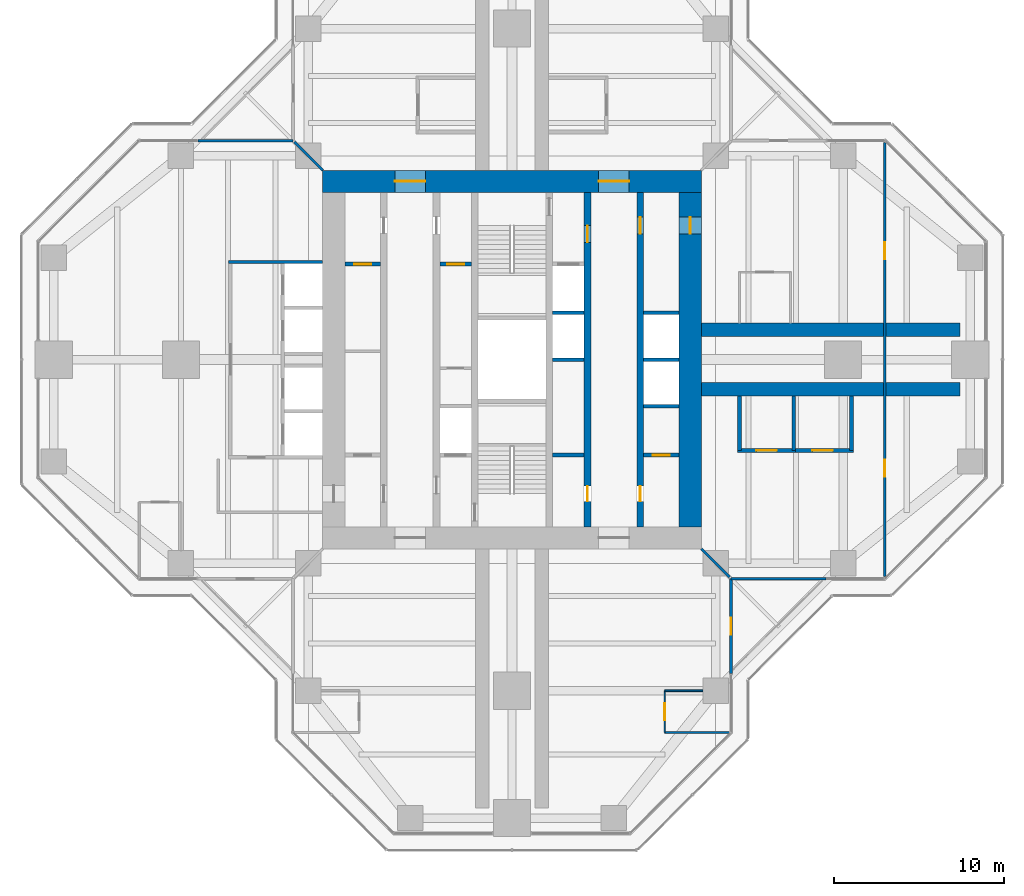
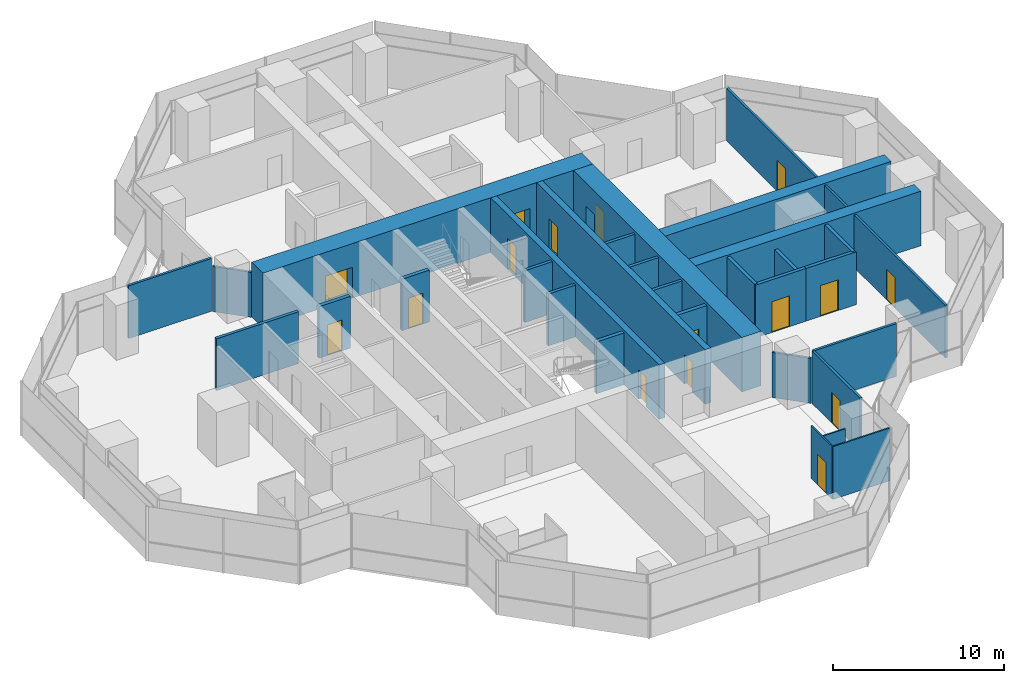
# One storey, part 14 of 17: 30 walls, 16 doors, 16 openings.
"""IFC4 building model written with IfcOpenShell, lengths in metres."""

from ifc_helpers import new_model, si_unit, direction, frame, frame_2d, origin, place, context, subcontext, project, spatial, rectangle, extrude, material, layer, layer_set, type_object, element, fill, save


model = new_model("IFC4")

# Units and contexts
model_context = context("Model", 3, precision=1e-05, world=origin(), true_north=direction((0.0, 1.0)))
body_context = subcontext(model_context, "Body", "Model", "MODEL_VIEW")
ifc_project = project(units=[si_unit("LENGTHUNIT", "METRE"), si_unit("AREAUNIT", "SQUARE_METRE"), si_unit("VOLUMEUNIT", "CUBIC_METRE"), si_unit("PLANEANGLEUNIT", "RADIAN"), si_unit("MASSUNIT", "GRAM", prefix="KILO")], contexts=[model_context])

# Site, building, storey
site_placement = place(None, origin())
site = spatial("IfcSite", under=ifc_project, at=site_placement, CompositionType="ELEMENT")
building_placement = place(site_placement, origin())
building = spatial("IfcBuilding", under=site, at=building_placement, Name="Mizan Broadcast Tower", CompositionType="ELEMENT")
storey_placement = place(building_placement, frame((0.0, 0.0, 232.199951171875)))
storey = spatial("IfcBuildingStorey", under=building, at=storey_placement, Name="L54", CompositionType="ELEMENT", Elevation=232.199951171875)

# Wall, openings, doors
ifc_material_1 = material(Name="Concrete C70/85", Category="concrete")
ifc_layer_1 = layer(ifc_material_1, 0.39990234375)
ifc_layer_set_1 = layer_set([ifc_layer_1], Name="Concrete C70/85")
wall_type_1 = type_object("IfcWallType", Name="CORE INTERNAL WALL 400", PredefinedType="SHEAR", material=ifc_layer_set_1)
wall_1_placement = place(storey_placement, frame((7.550048828125, 9.85009765625, 0.0), z_axis=(0.0, 0.0, 1.0), x_axis=(0.0, -1.0, 0.0)))
wall_1 = element("IfcWall", 1, at=wall_1_placement, inside=storey, type_object=wall_type_1, Name="Core wall CORE/XW1E", PredefinedType="SHEAR", context=body_context, shape_type="SweptSolid", body=[
    extrude(rectangle(XDim=19.7001953125, YDim=0.39990234375, at=frame_2d((9.85009765625, 0.0))), origin(), (0.0, 0.0, 1.0), 3.900146484375),
])
opening_1_placement = place(wall_1_placement, frame((1.449951171875, 0.0, 0.0)))
opening_1 = element("IfcOpeningElement", 2, at=opening_1_placement, cuts=wall_1, Name="Opening D10F", PredefinedType="OPENING", context=body_context, shape_type="SweptSolid", body=[
    extrude(rectangle(XDim=1.0, YDim=2.199951171875, at=frame_2d((0.5, 1.10009765625))), frame((0.0, 0.2099609375, 0.0), z_axis=(0.0, -1.0, 0.0), x_axis=(1.0, 0.0, 0.0)), (0.0, 0.0, 1.0), 0.419921875),
])
opening_2_placement = place(wall_1_placement, frame((17.300048828125, 0.0, 0.0)))
opening_2 = element("IfcOpeningElement", 3, at=opening_2_placement, cuts=wall_1, Name="Opening D09", PredefinedType="OPENING", context=body_context, shape_type="SweptSolid", body=[
    extrude(rectangle(XDim=0.89990234375, YDim=2.10009765625, at=frame_2d((0.449951171875, 1.050048828125))), frame((0.0, 0.2099609375, 0.0), z_axis=(0.0, -1.0, 0.0), x_axis=(1.0, 0.0, 0.0)), (0.0, 0.0, 1.0), 0.419921875),
])
ifc_material_2 = material(Name="Steel door leaf in steel frame", Category="steel")
door_type_1 = type_object("IfcDoorType", Name="FIRE DOOR 1000 FD90", OperationType="SINGLE_SWING_LEFT", PredefinedType="DOOR", material=ifc_material_2)
door_1_placement = place(opening_1_placement, origin())
door_1 = element("IfcDoor", 4, at=door_1_placement, inside=storey, type_object=door_type_1, Name="East core passage door", OperationType="SINGLE_SWING_LEFT", OverallHeight=2.199951171875, OverallWidth=1.0, PredefinedType="DOOR", context=body_context, shape_type="SweptSolid", body=[
    extrude(rectangle(XDim=1.0, YDim=2.199951171875, at=frame_2d((0.5, 1.10009765625))), frame((0.0, 0.02490234375, 0.0), z_axis=(0.0, -1.0, 0.0), x_axis=(1.0, 0.0, 0.0)), (0.0, 0.0, 1.0), 0.050048828125),
])
fill(opening_1, door_1)
ifc_material_3 = material(Name="Timber door leaf in aluminium frame", Category="wood")
door_type_2 = type_object("IfcDoorType", Name="TOILET DOOR 900", OperationType="SINGLE_SWING_LEFT", PredefinedType="DOOR", material=ifc_material_3)
door_2_placement = place(opening_2_placement, origin())
door_2 = element("IfcDoor", 5, at=door_2_placement, inside=storey, type_object=door_type_2, Name="Female WC door", OperationType="SINGLE_SWING_RIGHT", OverallHeight=2.10009765625, OverallWidth=0.89990234375, PredefinedType="DOOR", context=body_context, shape_type="SweptSolid", body=[
    extrude(rectangle(XDim=0.89990234375, YDim=2.10009765625, at=frame_2d((0.449951171875, 1.050048828125))), frame((0.0, 0.02490234375, 0.0), z_axis=(0.0, -1.0, 0.0), x_axis=(1.0, 0.0, 0.0)), (0.0, 0.0, 1.0), 0.050048828125),
])
fill(opening_2, door_2)

wall_2_placement = place(storey_placement, frame((4.449951171875, 9.85009765625, 0.0), z_axis=(0.0, 0.0, 1.0), x_axis=(0.0, -1.0, 0.0)))
wall_2 = element("IfcWall", 6, at=wall_2_placement, inside=storey, type_object=wall_type_1, Name="Core wall CORE/XWHE", PredefinedType="SHEAR", context=body_context, shape_type="SweptSolid", body=[
    extrude(rectangle(XDim=19.7001953125, YDim=0.39990234375, at=frame_2d((9.85009765625, 0.0))), origin(), (0.0, 0.0, 1.0), 3.900146484375),
])
opening_3_placement = place(wall_2_placement, frame((1.949951171875, 0.0, 0.0)))
opening_3 = element("IfcOpeningElement", 7, at=opening_3_placement, cuts=wall_2, Name="Opening D10F", PredefinedType="OPENING", context=body_context, shape_type="SweptSolid", body=[
    extrude(rectangle(XDim=1.0, YDim=2.199951171875, at=frame_2d((0.5, 1.10009765625))), frame((0.0, 0.2099609375, 0.0), z_axis=(0.0, -1.0, 0.0), x_axis=(1.0, 0.0, 0.0)), (0.0, 0.0, 1.0), 0.419921875),
])
opening_4_placement = place(wall_2_placement, frame((17.300048828125, 0.0, 0.0)))
opening_4 = element("IfcOpeningElement", 8, at=opening_4_placement, cuts=wall_2, Name="Opening D09", PredefinedType="OPENING", context=body_context, shape_type="SweptSolid", body=[
    extrude(rectangle(XDim=0.89990234375, YDim=2.10009765625, at=frame_2d((0.449951171875, 1.050048828125))), frame((0.0, 0.2099609375, 0.0), z_axis=(0.0, -1.0, 0.0), x_axis=(1.0, 0.0, 0.0)), (0.0, 0.0, 1.0), 0.419921875),
])
door_3_placement = place(opening_3_placement, origin())
door_3 = element("IfcDoor", 9, at=door_3_placement, inside=storey, type_object=door_type_1, Name="Firefighting lobby B door", OperationType="SINGLE_SWING_LEFT", OverallHeight=2.199951171875, OverallWidth=1.0, PredefinedType="DOOR", context=body_context, shape_type="SweptSolid", body=[
    extrude(rectangle(XDim=1.0, YDim=2.199951171875, at=frame_2d((0.5, 1.10009765625))), frame((0.0, 0.02490234375, 0.0), z_axis=(0.0, -1.0, 0.0), x_axis=(1.0, 0.0, 0.0)), (0.0, 0.0, 1.0), 0.050048828125),
])
fill(opening_3, door_3)
door_4_placement = place(opening_4_placement, origin())
door_4 = element("IfcDoor", 10, at=door_4_placement, inside=storey, type_object=door_type_2, Name="Cleaner's store door", OperationType="SINGLE_SWING_RIGHT", OverallHeight=2.10009765625, OverallWidth=0.89990234375, PredefinedType="DOOR", context=body_context, shape_type="SweptSolid", body=[
    extrude(rectangle(XDim=0.89990234375, YDim=2.10009765625, at=frame_2d((0.449951171875, 1.050048828125))), frame((0.0, 0.02490234375, 0.0), z_axis=(0.0, -1.0, 0.0), x_axis=(1.0, 0.0, 0.0)), (0.0, 0.0, 1.0), 0.050048828125),
])
fill(opening_4, door_4)

ifc_material_4 = material(Name="Concrete C70/85", Category="concrete")
ifc_layer_2 = layer(ifc_material_4, 1.300048828125)
ifc_layer_set_2 = layer_set([ifc_layer_2], Name="Concrete C70/85")
wall_type_2 = type_object("IfcWallType", Name="CORE WALL 1300", PredefinedType="SHEAR", material=ifc_layer_set_2)
wall_3_placement = place(storey_placement, frame((-11.14990234375, 10.5, 0.0), z_axis=(0.0, 0.0, 1.0), x_axis=(1.0, 0.0, 0.0)))
wall_3 = element("IfcWall", 11, at=wall_3_placement, inside=storey, type_object=wall_type_2, Name="Core wall N L54", PredefinedType="SHEAR", context=body_context, shape_type="SweptSolid", body=[
    extrude(rectangle(XDim=22.2998046875, YDim=1.300048828125, at=frame_2d((11.14990234375, 0.0))), origin(), (0.0, 0.0, 1.0), 3.900146484375),
])
opening_5_placement = place(wall_3_placement, frame((4.25, 0.0, 0.0)))
opening_5 = element("IfcOpeningElement", 12, at=opening_5_placement, cuts=wall_3, Name="Opening D18F", PredefinedType="OPENING", context=body_context, shape_type="SweptSolid", body=[
    extrude(rectangle(XDim=1.800048828125, YDim=2.199951171875, at=frame_2d((0.89990234375, 1.10009765625))), frame((0.0, 0.659912109375, 0.0), z_axis=(0.0, -1.0, 0.0), x_axis=(1.0, 0.0, 0.0)), (0.0, 0.0, 1.0), 1.320068359375),
])
opening_6_placement = place(wall_3_placement, frame((16.25, 0.0, 0.0)))
opening_6 = element("IfcOpeningElement", 13, at=opening_6_placement, cuts=wall_3, Name="Opening D18F", PredefinedType="OPENING", context=body_context, shape_type="SweptSolid", body=[
    extrude(rectangle(XDim=1.800048828125, YDim=2.199951171875, at=frame_2d((0.89990234375, 1.10009765625))), frame((0.0, 0.659912109375, 0.0), z_axis=(0.0, -1.0, 0.0), x_axis=(1.0, 0.0, 0.0)), (0.0, 0.0, 1.0), 1.320068359375),
])
ifc_material_5 = material(Name="Steel door leaf in steel frame", Category="steel")
door_type_3 = type_object("IfcDoorType", Name="LOBBY DOUBLE DOOR 1800 FD90", OperationType="DOUBLE_DOOR_DOUBLE_SWING", PredefinedType="DOOR", material=ifc_material_5)
door_5_placement = place(opening_5_placement, origin())
door_5 = element("IfcDoor", 14, at=door_5_placement, inside=storey, type_object=door_type_3, Name="West lift lobby north door", OperationType="DOUBLE_DOOR_DOUBLE_SWING", OverallHeight=2.199951171875, OverallWidth=1.800048828125, PredefinedType="DOOR", context=body_context, shape_type="SweptSolid", body=[
    extrude(rectangle(XDim=1.800048828125, YDim=2.199951171875, at=frame_2d((0.89990234375, 1.10009765625))), frame((0.0, 0.02490234375, 0.0), z_axis=(0.0, -1.0, 0.0), x_axis=(1.0, 0.0, 0.0)), (0.0, 0.0, 1.0), 0.050048828125),
])
fill(opening_5, door_5)
door_6_placement = place(opening_6_placement, origin())
door_6 = element("IfcDoor", 15, at=door_6_placement, inside=storey, type_object=door_type_3, Name="East lift lobby north door", OperationType="DOUBLE_DOOR_DOUBLE_SWING", OverallHeight=2.199951171875, OverallWidth=1.800048828125, PredefinedType="DOOR", context=body_context, shape_type="SweptSolid", body=[
    extrude(rectangle(XDim=1.800048828125, YDim=2.199951171875, at=frame_2d((0.89990234375, 1.10009765625))), frame((0.0, 0.02490234375, 0.0), z_axis=(0.0, -1.0, 0.0), x_axis=(1.0, 0.0, 0.0)), (0.0, 0.0, 1.0), 0.050048828125),
])
fill(opening_6, door_6)

# Wall, opening, door
wall_4_placement = place(storey_placement, frame((10.5, -9.85009765625, 0.0), z_axis=(0.0, 0.0, 1.0), x_axis=(0.0, 1.0, 0.0)))
wall_4 = element("IfcWall", 16, at=wall_4_placement, inside=storey, type_object=wall_type_2, Name="Core wall E L54", PredefinedType="SHEAR", context=body_context, shape_type="SweptSolid", body=[
    extrude(rectangle(XDim=19.7001953125, YDim=1.300048828125, at=frame_2d((9.85009765625, 0.0))), origin(), (0.0, 0.0, 1.0), 3.900146484375),
])
opening_7_placement = place(wall_4_placement, frame((17.25, 0.0, 0.0)))
opening_7 = element("IfcOpeningElement", 17, at=opening_7_placement, cuts=wall_4, Name="Opening D10F", PredefinedType="OPENING", context=body_context, shape_type="SweptSolid", body=[
    extrude(rectangle(XDim=1.0, YDim=2.199951171875, at=frame_2d((0.5, 1.10009765625))), frame((0.0, 0.659912109375, 0.0), z_axis=(0.0, -1.0, 0.0), x_axis=(1.0, 0.0, 0.0)), (0.0, 0.0, 1.0), 1.320068359375),
])
door_7_placement = place(opening_7_placement, origin())
door_7 = element("IfcDoor", 18, at=door_7_placement, inside=storey, type_object=door_type_1, Name="East core passage arm door", OperationType="SINGLE_SWING_RIGHT", OverallHeight=2.199951171875, OverallWidth=1.0, PredefinedType="DOOR", context=body_context, shape_type="SweptSolid", body=[
    extrude(rectangle(XDim=1.0, YDim=2.199951171875, at=frame_2d((0.5, 1.10009765625))), frame((0.0, 0.02490234375, 0.0), z_axis=(0.0, -1.0, 0.0), x_axis=(1.0, 0.0, 0.0)), (0.0, 0.0, 1.0), 0.050048828125),
])
fill(opening_7, door_7)

# Walls
ifc_material_6 = material(Name="Aluminium framed glazed screen", Category="aluminium")
ifc_layer_3 = layer(ifc_material_6, 0.159912109375)
ifc_layer_set_3 = layer_set([ifc_layer_3], Name="Aluminium framed glazed screen")
wall_type_3 = type_object("IfcWallType", Name="GLAZED SCREEN WALL 160", PredefinedType="SOLIDWALL", material=ifc_layer_set_3)
for number, where, z_axis, x_axis, name in (
    (19, (12.89990234375, -12.89990234375, 0.0), (0.0, 0.0, 1.0), (1.0, 0.0, 0.0), "Winter garden screen L54 E"),
    (20, (-12.89990234375, 12.89990234375, 0.0), (0.0, 0.0, 1.0), (-1.0, 0.0, 0.0), "Winter garden screen L54 W"),
):
    element("IfcWall", number, at=place(storey_placement, frame(where, z_axis=z_axis, x_axis=x_axis)), inside=storey, type_object=wall_type_3, Name=name, PredefinedType="SOLIDWALL", context=body_context, shape_type="SweptSolid", body=[
        extrude(rectangle(XDim=5.60009765625, YDim=0.159912109375, at=frame_2d((2.800048828125, 0.0))), origin(), (0.0, 0.0, 1.0), 3.77001953125),
    ])

# Wall, opening, door
wall_5_placement = place(storey_placement, frame((12.89990234375, -18.5, 0.0), z_axis=(0.0, 0.0, 1.0), x_axis=(0.0, 1.0, 0.0)))
wall_5 = element("IfcWall", 21, at=wall_5_placement, inside=storey, type_object=wall_type_3, Name="Winter garden screen L54 S", PredefinedType="SOLIDWALL", context=body_context, shape_type="SweptSolid", body=[
    extrude(rectangle(XDim=5.60009765625, YDim=0.159912109375, at=frame_2d((2.800048828125, 0.0))), origin(), (0.0, 0.0, 1.0), 3.77001953125),
])
opening_8_placement = place(wall_5_placement, frame((2.300048828125, 0.0, 0.0)))
opening_8 = element("IfcOpeningElement", 22, at=opening_8_placement, cuts=wall_5, Name="Opening WGD", PredefinedType="OPENING", context=body_context, shape_type="SweptSolid", body=[
    extrude(rectangle(XDim=1.0, YDim=2.199951171875, at=frame_2d((0.5, 1.10009765625))), frame((0.0, 0.08984375, 0.0), z_axis=(0.0, -1.0, 0.0), x_axis=(1.0, 0.0, 0.0)), (0.0, 0.0, 1.0), 0.179931640625),
])
ifc_material_7 = material(Name="Aluminium framed glazed door", Category="aluminium")
door_type_4 = type_object("IfcDoorType", Name="WINTER GARDEN DOOR 1000 GLAZED", OperationType="SINGLE_SWING_LEFT", PredefinedType="DOOR", material=ifc_material_7)
door_8_placement = place(opening_8_placement, origin())
door_8 = element("IfcDoor", 23, at=door_8_placement, inside=storey, type_object=door_type_4, Name="Winter garden door L54 S", OperationType="SINGLE_SWING_RIGHT", OverallHeight=2.199951171875, OverallWidth=1.0, PredefinedType="DOOR", context=body_context, shape_type="SweptSolid", body=[
    extrude(rectangle(XDim=1.0, YDim=2.199951171875, at=frame_2d((0.5, 1.10009765625))), frame((0.0, 0.02490234375, 0.0), z_axis=(0.0, -1.0, 0.0), x_axis=(1.0, 0.0, 0.0)), (0.0, 0.0, 1.0), 0.050048828125),
])
fill(opening_8, door_8)

# Walls
ifc_material_8 = material(Name="Concrete blockwork", Category="masonry")
ifc_layer_4 = layer(ifc_material_8, 0.199951171875)
ifc_layer_set_4 = layer_set([ifc_layer_4], Name="Concrete blockwork")
wall_type_4 = type_object("IfcWallType", Name="LIFT SHAFT WALL 200", PredefinedType="SOLIDWALL", material=ifc_layer_set_4)
wall_6_placement = place(storey_placement, frame((7.75, -2.75, 0.0), z_axis=(0.0, 0.0, 1.0), x_axis=(1.0, 0.0, 0.0)))
element("IfcWall", 24, at=wall_6_placement, inside=storey, type_object=wall_type_4, Name="Lift shaft wall CORE/SE1-1", PredefinedType="SOLIDWALL", context=body_context, shape_type="SweptSolid", body=[
    extrude(rectangle(XDim=2.10009765625, YDim=0.199951171875, at=frame_2d((1.050048828125, 0.0))), origin(), (0.0, 0.0, 1.0), 3.699951171875),
])
wall_7_placement = place(storey_placement, frame((2.39990234375, 0.0, 0.0), z_axis=(0.0, 0.0, 1.0), x_axis=(1.0, 0.0, 0.0)))
element("IfcWall", 25, at=wall_7_placement, inside=storey, type_object=wall_type_4, Name="Lift shaft wall CORE/SE2-2", PredefinedType="SOLIDWALL", context=body_context, shape_type="SweptSolid", body=[
    extrude(rectangle(XDim=1.85009765625, YDim=0.199951171875, at=frame_2d((0.925048828125, 0.0))), origin(), (0.0, 0.0, 1.0), 3.699951171875),
])
wall_8_placement = place(storey_placement, frame((7.75, 0.0, 0.0), z_axis=(0.0, 0.0, 1.0), x_axis=(1.0, 0.0, 0.0)))
element("IfcWall", 26, at=wall_8_placement, inside=storey, type_object=wall_type_4, Name="Lift shaft wall CORE/SE1-2", PredefinedType="SOLIDWALL", context=body_context, shape_type="SweptSolid", body=[
    extrude(rectangle(XDim=2.10009765625, YDim=0.199951171875, at=frame_2d((1.050048828125, 0.0))), origin(), (0.0, 0.0, 1.0), 3.699951171875),
])
wall_9_placement = place(storey_placement, frame((2.39990234375, 2.75, 0.0), z_axis=(0.0, 0.0, 1.0), x_axis=(1.0, 0.0, 0.0)))
element("IfcWall", 27, at=wall_9_placement, inside=storey, type_object=wall_type_4, Name="Lift shaft wall CORE/SE2-3", PredefinedType="SOLIDWALL", context=body_context, shape_type="SweptSolid", body=[
    extrude(rectangle(XDim=1.85009765625, YDim=0.199951171875, at=frame_2d((0.925048828125, 0.0))), origin(), (0.0, 0.0, 1.0), 3.699951171875),
])
wall_10_placement = place(storey_placement, frame((7.75, 2.75, 0.0), z_axis=(0.0, 0.0, 1.0), x_axis=(1.0, 0.0, 0.0)))
element("IfcWall", 28, at=wall_10_placement, inside=storey, type_object=wall_type_4, Name="Lift shaft wall CORE/SE1-3", PredefinedType="SOLIDWALL", context=body_context, shape_type="SweptSolid", body=[
    extrude(rectangle(XDim=2.10009765625, YDim=0.199951171875, at=frame_2d((1.050048828125, 0.0))), origin(), (0.0, 0.0, 1.0), 3.699951171875),
])
wall_11_placement = place(storey_placement, frame((-11.14990234375, 5.75, 0.0), z_axis=(0.0, 0.0, 1.0), x_axis=(-1.0, 0.0, 0.0)))
element("IfcWall", 29, at=wall_11_placement, inside=storey, type_object=wall_type_4, Name="Lift shaft wall LC/S1", PredefinedType="SOLIDWALL", context=body_context, shape_type="SweptSolid", body=[
    extrude(rectangle(XDim=5.550048828125, YDim=0.199951171875, at=frame_2d((2.77490234375, 0.0))), origin(), (0.0, 0.0, 1.0), 3.699951171875),
])

# Wall, opening, door
ifc_material_9 = material(Name="Concrete blockwork", Category="masonry")
ifc_layer_5 = layer(ifc_material_9, 0.25)
ifc_layer_set_5 = layer_set([ifc_layer_5], Name="Concrete blockwork")
wall_type_5 = type_object("IfcWallType", Name="LOBBY ENCLOSURE WALL 250", PredefinedType="SOLIDWALL", material=ifc_layer_set_5)
wall_12_placement = place(storey_placement, frame((-9.85009765625, 5.625, 0.0), z_axis=(0.0, 0.0, 1.0), x_axis=(1.0, 0.0, 0.0)))
wall_12 = element("IfcWall", 30, at=wall_12_placement, inside=storey, type_object=wall_type_5, Name="Lobby enclosure wall CORE/BW1N", PredefinedType="SOLIDWALL", context=body_context, shape_type="SweptSolid", body=[
    extrude(rectangle(XDim=2.10009765625, YDim=0.25, at=frame_2d((1.050048828125, 0.0))), origin(), (0.0, 0.0, 1.0), 3.699951171875),
])
opening_9_placement = place(wall_12_placement, frame((0.550048828125, 0.0, 0.0)))
opening_9 = element("IfcOpeningElement", 31, at=opening_9_placement, cuts=wall_12, Name="Opening D10F", PredefinedType="OPENING", context=body_context, shape_type="SweptSolid", body=[
    extrude(rectangle(XDim=1.0, YDim=2.199951171875, at=frame_2d((0.5, 1.10009765625))), frame((0.0, 0.135009765625, 0.0), z_axis=(0.0, -1.0, 0.0), x_axis=(1.0, 0.0, 0.0)), (0.0, 0.0, 1.0), 0.27001953125),
])
door_9_placement = place(opening_9_placement, origin())
door_9 = element("IfcDoor", 32, at=door_9_placement, inside=storey, type_object=door_type_1, Name="Male staff shower room door", OperationType="SINGLE_SWING_RIGHT", OverallHeight=2.199951171875, OverallWidth=1.0, PredefinedType="DOOR", context=body_context, shape_type="SweptSolid", body=[
    extrude(rectangle(XDim=1.0, YDim=2.199951171875, at=frame_2d((0.5, 1.10009765625))), frame((0.0, 0.02490234375, 0.0), z_axis=(0.0, -1.0, 0.0), x_axis=(1.0, 0.0, 0.0)), (0.0, 0.0, 1.0), 0.050048828125),
])
fill(opening_9, door_9)

wall_13_placement = place(storey_placement, frame((-4.25, 5.625, 0.0), z_axis=(0.0, 0.0, 1.0), x_axis=(1.0, 0.0, 0.0)))
wall_13 = element("IfcWall", 33, at=wall_13_placement, inside=storey, type_object=wall_type_5, Name="Lobby enclosure wall CORE/BW2N", PredefinedType="SOLIDWALL", context=body_context, shape_type="SweptSolid", body=[
    extrude(rectangle(XDim=1.85009765625, YDim=0.25, at=frame_2d((0.925048828125, 0.0))), origin(), (0.0, 0.0, 1.0), 3.699951171875),
])
opening_10_placement = place(wall_13_placement, frame((0.425048828125, 0.0, 0.0)))
opening_10 = element("IfcOpeningElement", 34, at=opening_10_placement, cuts=wall_13, Name="Opening D10F", PredefinedType="OPENING", context=body_context, shape_type="SweptSolid", body=[
    extrude(rectangle(XDim=1.0, YDim=2.199951171875, at=frame_2d((0.5, 1.10009765625))), frame((0.0, 0.135009765625, 0.0), z_axis=(0.0, -1.0, 0.0), x_axis=(1.0, 0.0, 0.0)), (0.0, 0.0, 1.0), 0.27001953125),
])
door_10_placement = place(opening_10_placement, origin())
door_10 = element("IfcDoor", 35, at=door_10_placement, inside=storey, type_object=door_type_1, Name="Accessible shower room door", OperationType="SINGLE_SWING_RIGHT", OverallHeight=2.199951171875, OverallWidth=1.0, PredefinedType="DOOR", context=body_context, shape_type="SweptSolid", body=[
    extrude(rectangle(XDim=1.0, YDim=2.199951171875, at=frame_2d((0.5, 1.10009765625))), frame((0.0, 0.02490234375, 0.0), z_axis=(0.0, -1.0, 0.0), x_axis=(1.0, 0.0, 0.0)), (0.0, 0.0, 1.0), 0.050048828125),
])
fill(opening_10, door_10)

# Wall
wall_14_placement = place(storey_placement, frame((2.39990234375, -5.625, 0.0), z_axis=(0.0, 0.0, 1.0), x_axis=(1.0, 0.0, 0.0)))
element("IfcWall", 36, at=wall_14_placement, inside=storey, type_object=wall_type_5, Name="Lobby enclosure wall CORE/BE2S", PredefinedType="SOLIDWALL", context=body_context, shape_type="SweptSolid", body=[
    extrude(rectangle(XDim=1.85009765625, YDim=0.25, at=frame_2d((0.925048828125, 0.0))), origin(), (0.0, 0.0, 1.0), 3.699951171875),
])

# Wall, opening, door
wall_15_placement = place(storey_placement, frame((7.75, -5.625, 0.0), z_axis=(0.0, 0.0, 1.0), x_axis=(1.0, 0.0, 0.0)))
wall_15 = element("IfcWall", 37, at=wall_15_placement, inside=storey, type_object=wall_type_5, Name="Lobby enclosure wall CORE/BE1S", PredefinedType="SOLIDWALL", context=body_context, shape_type="SweptSolid", body=[
    extrude(rectangle(XDim=2.10009765625, YDim=0.25, at=frame_2d((1.050048828125, 0.0))), origin(), (0.0, 0.0, 1.0), 3.699951171875),
])
opening_11_placement = place(wall_15_placement, frame((0.550048828125, 0.0, 0.0)))
opening_11 = element("IfcOpeningElement", 38, at=opening_11_placement, cuts=wall_15, Name="Opening D10F", PredefinedType="OPENING", context=body_context, shape_type="SweptSolid", body=[
    extrude(rectangle(XDim=1.0, YDim=2.199951171875, at=frame_2d((0.5, 1.10009765625))), frame((0.0, 0.135009765625, 0.0), z_axis=(0.0, -1.0, 0.0), x_axis=(1.0, 0.0, 0.0)), (0.0, 0.0, 1.0), 0.27001953125),
])
door_11_placement = place(opening_11_placement, origin())
door_11 = element("IfcDoor", 39, at=door_11_placement, inside=storey, type_object=door_type_1, Name="Female staff shower room door", OperationType="SINGLE_SWING_LEFT", OverallHeight=2.199951171875, OverallWidth=1.0, PredefinedType="DOOR", context=body_context, shape_type="SweptSolid", body=[
    extrude(rectangle(XDim=1.0, YDim=2.199951171875, at=frame_2d((0.5, 1.10009765625))), frame((0.0, 0.02490234375, 0.0), z_axis=(0.0, -1.0, 0.0), x_axis=(1.0, 0.0, 0.0)), (0.0, 0.0, 1.0), 0.050048828125),
])
fill(opening_11, door_11)

# Wall, openings, doors
ifc_material_10 = material(Name="Gypsum board on steel studs", Category="steel")
ifc_layer_6 = layer(ifc_material_10, 0.14990234375)
ifc_layer_set_6 = layer_set([ifc_layer_6], Name="Gypsum board on steel studs")
wall_type_6 = type_object("IfcWallType", Name="PARTITION 150", PredefinedType="PARTITIONING", material=ifc_layer_set_6)
wall_16_placement = place(storey_placement, frame((21.958984375, -12.786376953125, 0.0), z_axis=(0.0, 0.0, 1.0), x_axis=(0.0, 1.0, 0.0)))
wall_16 = element("IfcWall", 40, at=wall_16_placement, inside=storey, type_object=wall_type_6, Name="Partition PT/EX1", PredefinedType="PARTITIONING", context=body_context, shape_type="SweptSolid", body=[
    extrude(rectangle(XDim=25.57275390625, YDim=0.14990234375, at=frame_2d((12.786376953125, 0.0))), origin(), (0.0, 0.0, 1.0), 3.77001953125),
])
opening_12_placement = place(wall_16_placement, frame((18.6865234375, 0.0, 0.0)))
opening_12 = element("IfcOpeningElement", 41, at=opening_12_placement, cuts=wall_16, Name="Opening D10", PredefinedType="OPENING", context=body_context, shape_type="SweptSolid", body=[
    extrude(rectangle(XDim=1.0, YDim=2.199951171875, at=frame_2d((0.5, 1.10009765625))), frame((0.0, 0.0849609375, 0.0), z_axis=(0.0, -1.0, 0.0), x_axis=(1.0, 0.0, 0.0)), (0.0, 0.0, 1.0), 0.169921875),
])
opening_13_placement = place(wall_16_placement, frame((5.886474609375, 0.0, 0.0)))
opening_13 = element("IfcOpeningElement", 42, at=opening_13_placement, cuts=wall_16, Name="Opening D10", PredefinedType="OPENING", context=body_context, shape_type="SweptSolid", body=[
    extrude(rectangle(XDim=1.0, YDim=2.199951171875, at=frame_2d((0.5, 1.10009765625))), frame((0.0, 0.0849609375, 0.0), z_axis=(0.0, -1.0, 0.0), x_axis=(1.0, 0.0, 0.0)), (0.0, 0.0, 1.0), 0.169921875),
])
ifc_material_11 = material(Name="Timber door leaf in aluminium frame", Category="wood")
door_type_5 = type_object("IfcDoorType", Name="ROOM DOOR 1000", OperationType="SINGLE_SWING_LEFT", PredefinedType="DOOR", material=ifc_material_11)
door_12_placement = place(opening_12_placement, origin())
door_12 = element("IfcDoor", 43, at=door_12_placement, inside=storey, type_object=door_type_5, Name="Meeting room door", OperationType="SINGLE_SWING_RIGHT", OverallHeight=2.199951171875, OverallWidth=1.0, PredefinedType="DOOR", context=body_context, shape_type="SweptSolid", body=[
    extrude(rectangle(XDim=1.0, YDim=2.199951171875, at=frame_2d((0.5, 1.10009765625))), frame((0.0, 0.02490234375, 0.0), z_axis=(0.0, -1.0, 0.0), x_axis=(1.0, 0.0, 0.0)), (0.0, 0.0, 1.0), 0.050048828125),
])
fill(opening_12, door_12)
door_13_placement = place(opening_13_placement, origin())
door_13 = element("IfcDoor", 44, at=door_13_placement, inside=storey, type_object=door_type_5, Name="Meeting room door", OperationType="SINGLE_SWING_LEFT", OverallHeight=2.199951171875, OverallWidth=1.0, PredefinedType="DOOR", context=body_context, shape_type="SweptSolid", body=[
    extrude(rectangle(XDim=1.0, YDim=2.199951171875, at=frame_2d((0.5, 1.10009765625))), frame((0.0, 0.02490234375, 0.0), z_axis=(0.0, -1.0, 0.0), x_axis=(1.0, 0.0, 0.0)), (0.0, 0.0, 1.0), 0.050048828125),
])
fill(opening_13, door_13)

# Walls
for number, where, z_axis, x_axis, name in (
    (45, (-11.14990234375, 11.14990234375, 0.0), (0.0, 0.0, 1.0), (-0.707106781187, 0.707106781187, 0.0), "Partition PT/DGWN"),
    (46, (11.14990234375, -11.14990234375, 0.0), (0.0, 0.0, 1.0), (0.707106781187, -0.707106781187, 0.0), "Partition PT/DGES"),
):
    element("IfcWall", number, at=place(storey_placement, frame(where, z_axis=z_axis, x_axis=x_axis)), inside=storey, type_object=wall_type_6, Name=name, PredefinedType="PARTITIONING", context=body_context, shape_type="SweptSolid", body=[
        extrude(rectangle(XDim=2.362060546875, YDim=0.14990234375, at=frame_2d((1.18115234375, 0.0))), origin(), (0.0, 0.0, 1.0), 3.219970703125),
    ])
ifc_material_12 = material(Name="Twin steel stud acoustic partition, four layers of gypsum board", Category="steel")
ifc_layer_7 = layer(ifc_material_12, 0.22509765625)
ifc_layer_set_7 = layer_set([ifc_layer_7], Name="Twin steel stud acoustic partition, four layers of gypsum board")
wall_type_7 = type_object("IfcWallType", Name="PARTITION ACOUSTIC 225", PredefinedType="PARTITIONING", material=ifc_layer_set_7)
wall_17_placement = place(storey_placement, frame((13.39990234375, -2.14990234375, 0.0), z_axis=(0.0, 0.0, 1.0), x_axis=(0.0, -1.0, 0.0)))
element("IfcWall", 47, at=wall_17_placement, inside=storey, type_object=wall_type_7, Name="Acoustic partition PT/EKN0a", PredefinedType="PARTITIONING", context=body_context, shape_type="SweptSolid", body=[
    extrude(rectangle(XDim=3.2001953125, YDim=0.22509765625, at=frame_2d((1.60009765625, 0.0))), origin(), (0.0, 0.0, 1.0), 3.77001953125),
])
wall_18_placement = place(storey_placement, frame((16.60009765625, -2.14990234375, 0.0), z_axis=(0.0, 0.0, 1.0), x_axis=(0.0, -1.0, 0.0)))
element("IfcWall", 48, at=wall_18_placement, inside=storey, type_object=wall_type_7, Name="Acoustic partition PT/EKN0b", PredefinedType="PARTITIONING", context=body_context, shape_type="SweptSolid", body=[
    extrude(rectangle(XDim=3.2001953125, YDim=0.22509765625, at=frame_2d((1.60009765625, 0.0))), origin(), (0.0, 0.0, 1.0), 3.179931640625),
])

# Wall, opening, door
wall_19_placement = place(storey_placement, frame((13.28759765625, -5.35009765625, 0.0), z_axis=(0.0, 0.0, 1.0), x_axis=(1.0, 0.0, 0.0)))
wall_19 = element("IfcWall", 49, at=wall_19_placement, inside=storey, type_object=wall_type_7, Name="Acoustic partition PT/EKN0f", PredefinedType="PARTITIONING", context=body_context, shape_type="SweptSolid", body=[
    extrude(rectangle(XDim=3.4248046875, YDim=0.22509765625, at=frame_2d((1.71240234375, 0.0))), origin(), (0.0, 0.0, 1.0), 3.77001953125),
])
opening_14_placement = place(wall_19_placement, frame((1.112548828125, 0.0, 0.0)))
opening_14 = element("IfcOpeningElement", 50, at=opening_14_placement, cuts=wall_19, Name="Opening D12A", PredefinedType="OPENING", context=body_context, shape_type="SweptSolid", body=[
    extrude(rectangle(XDim=1.199951171875, YDim=2.199951171875, at=frame_2d((0.60009765625, 1.10009765625))), frame((0.0, 0.12255859375, 0.0), z_axis=(0.0, -1.0, 0.0), x_axis=(1.0, 0.0, 0.0)), (0.0, 0.0, 1.0), 0.2451171875),
])
ifc_material_13 = material(Name="Timber door leaf in aluminium frame", Category="wood")
door_type_6 = type_object("IfcDoorType", Name="ACOUSTIC DOOR 1200", OperationType="SINGLE_SWING_LEFT", PredefinedType="DOOR", material=ifc_material_13)
door_14_placement = place(opening_14_placement, origin())
door_14 = element("IfcDoor", 51, at=door_14_placement, inside=storey, type_object=door_type_6, Name="Edit suite door", OperationType="SINGLE_SWING_LEFT", OverallHeight=2.199951171875, OverallWidth=1.199951171875, PredefinedType="DOOR", context=body_context, shape_type="SweptSolid", body=[
    extrude(rectangle(XDim=1.199951171875, YDim=2.199951171875, at=frame_2d((0.60009765625, 1.10009765625))), frame((0.0, 0.02490234375, 0.0), z_axis=(0.0, -1.0, 0.0), x_axis=(1.0, 0.0, 0.0)), (0.0, 0.0, 1.0), 0.050048828125),
])
fill(opening_14, door_14)

# Wall
wall_20_placement = place(storey_placement, frame((20.0, -2.14990234375, 0.0), z_axis=(0.0, 0.0, 1.0), x_axis=(0.0, -1.0, 0.0)))
element("IfcWall", 52, at=wall_20_placement, inside=storey, type_object=wall_type_7, Name="Acoustic partition PT/EKN1b", PredefinedType="PARTITIONING", context=body_context, shape_type="SweptSolid", body=[
    extrude(rectangle(XDim=3.2001953125, YDim=0.22509765625, at=frame_2d((1.60009765625, 0.0))), origin(), (0.0, 0.0, 1.0), 3.77001953125),
])

# Wall, opening, door
wall_21_placement = place(storey_placement, frame((16.71240234375, -5.35009765625, 0.0), z_axis=(0.0, 0.0, 1.0), x_axis=(1.0, 0.0, 0.0)))
wall_21 = element("IfcWall", 53, at=wall_21_placement, inside=storey, type_object=wall_type_7, Name="Acoustic partition PT/EKN1f", PredefinedType="PARTITIONING", context=body_context, shape_type="SweptSolid", body=[
    extrude(rectangle(XDim=3.400146484375, YDim=0.22509765625, at=frame_2d((1.7001953125, 0.0))), origin(), (0.0, 0.0, 1.0), 3.77001953125),
])
opening_15_placement = place(wall_21_placement, frame((0.987548828125, 0.0, 0.0)))
opening_15 = element("IfcOpeningElement", 54, at=opening_15_placement, cuts=wall_21, Name="Opening D12A", PredefinedType="OPENING", context=body_context, shape_type="SweptSolid", body=[
    extrude(rectangle(XDim=1.199951171875, YDim=2.199951171875, at=frame_2d((0.60009765625, 1.10009765625))), frame((0.0, 0.12255859375, 0.0), z_axis=(0.0, -1.0, 0.0), x_axis=(1.0, 0.0, 0.0)), (0.0, 0.0, 1.0), 0.2451171875),
])
door_15_placement = place(opening_15_placement, origin())
door_15 = element("IfcDoor", 55, at=door_15_placement, inside=storey, type_object=door_type_6, Name="Edit suite door", OperationType="SINGLE_SWING_LEFT", OverallHeight=2.199951171875, OverallWidth=1.199951171875, PredefinedType="DOOR", context=body_context, shape_type="SweptSolid", body=[
    extrude(rectangle(XDim=1.199951171875, YDim=2.199951171875, at=frame_2d((0.60009765625, 1.10009765625))), frame((0.0, 0.02490234375, 0.0), z_axis=(0.0, -1.0, 0.0), x_axis=(1.0, 0.0, 0.0)), (0.0, 0.0, 1.0), 0.050048828125),
])
fill(opening_15, door_15)

ifc_material_14 = material(Name="Glazed aluminium partition on aluminium track", Category="aluminium")
ifc_layer_8 = layer(ifc_material_14, 0.10009765625)
ifc_layer_set_8 = layer_set([ifc_layer_8], Name="Glazed aluminium partition on aluminium track")
wall_type_8 = type_object("IfcWallType", Name="PARTITION GLAZED OFFICE FRONT 100", PredefinedType="PARTITIONING", material=ifc_layer_set_8)
wall_22_placement = place(storey_placement, frame((9.0, -19.5, 0.0), z_axis=(0.0, 0.0, 1.0), x_axis=(0.0, -1.0, 0.0)))
wall_22 = element("IfcWall", 56, at=wall_22_placement, inside=storey, type_object=wall_type_8, Name="Glazed office front PT/SCP0", PredefinedType="PARTITIONING", context=body_context, shape_type="SweptSolid", body=[
    extrude(rectangle(XDim=2.458984375, YDim=0.10009765625, at=frame_2d((1.2294921875, 0.0))), origin(), (0.0, 0.0, 1.0), 3.77001953125),
])
opening_16_placement = place(wall_22_placement, frame((0.7294921875, 0.0, 0.0)))
opening_16 = element("IfcOpeningElement", 57, at=opening_16_placement, cuts=wall_22, Name="Opening D10O", PredefinedType="OPENING", context=body_context, shape_type="SweptSolid", body=[
    extrude(rectangle(XDim=1.0, YDim=2.199951171875, at=frame_2d((0.5, 1.10009765625))), frame((0.0, 0.06005859375, 0.0), z_axis=(0.0, -1.0, 0.0), x_axis=(1.0, 0.0, 0.0)), (0.0, 0.0, 1.0), 0.1201171875),
])
ifc_material_15 = material(Name="Timber door leaf in aluminium frame", Category="wood")
door_type_7 = type_object("IfcDoorType", Name="OFFICE DOOR 1000 GLAZED", OperationType="SINGLE_SWING_LEFT", PredefinedType="DOOR", material=ifc_material_15)
door_16_placement = place(opening_16_placement, origin())
door_16 = element("IfcDoor", 58, at=door_16_placement, inside=storey, type_object=door_type_7, Name="Office door", OperationType="SINGLE_SWING_LEFT", OverallHeight=2.199951171875, OverallWidth=1.0, PredefinedType="DOOR", context=body_context, shape_type="SweptSolid", body=[
    extrude(rectangle(XDim=1.0, YDim=2.199951171875, at=frame_2d((0.5, 1.10009765625))), frame((0.0, 0.02490234375, 0.0), z_axis=(0.0, -1.0, 0.0), x_axis=(1.0, 0.0, 0.0)), (0.0, 0.0, 1.0), 0.050048828125),
])
fill(opening_16, door_16)

# Walls
wall_23_placement = place(storey_placement, frame((9.0, -19.5, 0.0), z_axis=(0.0, 0.0, 1.0), x_axis=(1.0, 0.0, 0.0)))
element("IfcWall", 59, at=wall_23_placement, inside=storey, type_object=wall_type_8, Name="Glazed office front PT/SQP1950", PredefinedType="PARTITIONING", context=body_context, shape_type="SweptSolid", body=[
    extrude(rectangle(XDim=2.25, YDim=0.10009765625, at=frame_2d((1.125, 0.0))), origin(), (0.0, 0.0, 1.0), 2.77001953125),
])
wall_24_placement = place(storey_placement, frame((9.0, -21.958984375, 0.0), z_axis=(0.0, 0.0, 1.0), x_axis=(1.0, 0.0, 0.0)))
element("IfcWall", 60, at=wall_24_placement, inside=storey, type_object=wall_type_8, Name="Glazed office front PT/SQP2196", PredefinedType="PARTITIONING", context=body_context, shape_type="SweptSolid", body=[
    extrude(rectangle(XDim=3.820068359375, YDim=0.10009765625, at=frame_2d((1.91015625, 0.0))), origin(), (0.0, 0.0, 1.0), 3.77001953125),
])
ifc_material_16 = material(Name="Concrete C70/85", Category="concrete")
ifc_layer_9 = layer(ifc_material_16, 0.800048828125)
ifc_layer_set_9 = layer_set([ifc_layer_9], Name="Concrete C70/85")
wall_type_9 = type_object("IfcWallType", Name="SPINE WALL 800", PredefinedType="SHEAR", material=ifc_layer_set_9)
for number, where, z_axis, x_axis, name in (
    (61, (11.14990234375, -1.75, 0.0), (0.0, 0.0, 1.0), (1.0, 0.0, 0.0), "Spine wall ER L54"),
    (62, (11.14990234375, 1.75, 0.0), (0.0, 0.0, 1.0), (1.0, 0.0, 0.0), "Spine wall EL L54"),
):
    element("IfcWall", number, at=place(storey_placement, frame(where, z_axis=z_axis, x_axis=x_axis)), inside=storey, type_object=wall_type_9, Name=name, PredefinedType="SHEAR", context=body_context, shape_type="SweptSolid", body=[
        extrude(rectangle(XDim=15.25, YDim=0.800048828125, at=frame_2d((7.625, 0.0))), origin(), (0.0, 0.0, 1.0), 3.900146484375),
    ])

save(model, "model.ifc")
